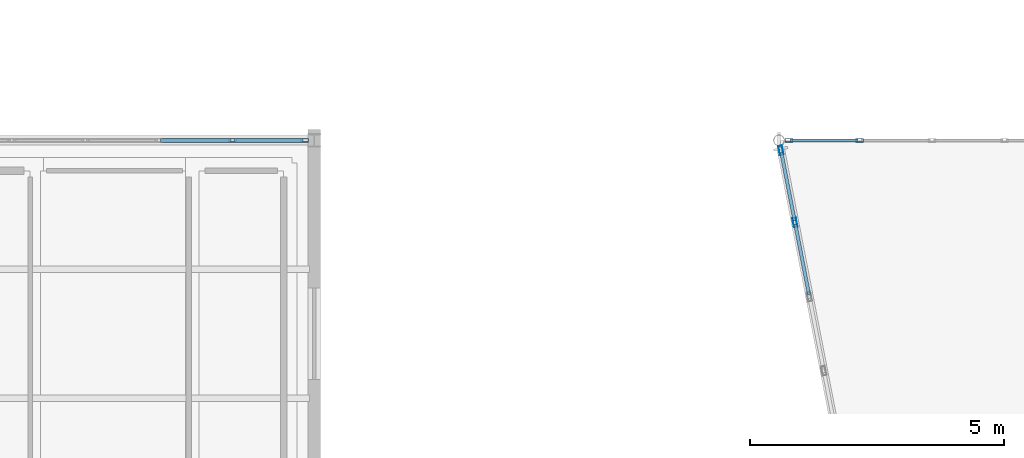
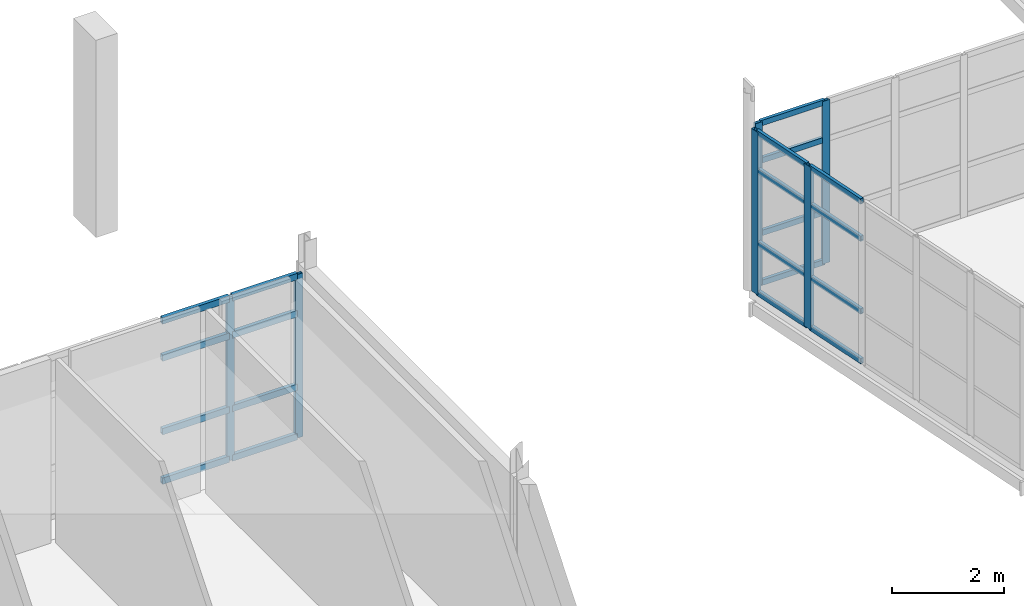
# One storey, part 101 of 166: 26 members, 3 elements without a shape of their own.
"""IFC4 building model written with IfcOpenShell, lengths in metres."""

from ifc_helpers import new_model, si_unit, direction, frame, origin, origin_2d, place, context, subcontext, project, spatial, hollow_rectangle, extrude, material, material_profile, profile_set, type_object, element, aggregate, save


model = new_model("IFC4")

# Units and contexts
model_context = context("Model", 3, precision=1e-05, world=origin(), true_north=direction((0.0, 1.0)))
body_context = subcontext(model_context, "Body", "Model", "MODEL_VIEW")
ifc_project = project(units=[si_unit("LENGTHUNIT", "METRE"), si_unit("AREAUNIT", "SQUARE_METRE"), si_unit("VOLUMEUNIT", "CUBIC_METRE"), si_unit("PLANEANGLEUNIT", "RADIAN"), si_unit("MASSUNIT", "GRAM", prefix="KILO")], contexts=[model_context])

# Site, building, storey
site_placement = place(None, origin())
site = spatial("IfcSite", under=ifc_project, at=site_placement, CompositionType="ELEMENT")
building_placement = place(site_placement, origin())
building = spatial("IfcBuilding", under=site, at=building_placement, Name="Caisbarro Railhouse Central Library", CompositionType="ELEMENT")
storey_placement = place(building_placement, frame((0.0, 0.0, 9.360107421875)))
storey = spatial("IfcBuildingStorey", under=building, at=storey_placement, Name="L02", CompositionType="ELEMENT", Elevation=9.360107421875)

# Curtain wall, members
ifc_material = material(Name="Anodised architectural aluminium", Category="aluminium")
curtain_wall_type_1 = type_object("IfcCurtainWallType", Name="CW-CW02", PredefinedType="NOTDEFINED", material=ifc_material)
curtain_wall_1_placement = place(storey_placement, origin())
curtain_wall_1 = element("IfcCurtainWall", 1, at=curtain_wall_1_placement, inside=storey, type_object=curtain_wall_type_1, Name="CW02 curtain wall L02 #130", PredefinedType="NOTDEFINED")
ifc_material_profile_1 = material_profile(ifc_material, hollow_rectangle(XDim=0.074951171875, YDim=0.179931640625, WallThickness=0.00439453125, at=origin_2d()), Name="ALU-MUL-75X180")
ifc_profile_set_1 = profile_set([ifc_material_profile_1], Name="Anodised architectural aluminium")
member_type_1 = type_object("IfcMemberType", Name="CWM-M01", PredefinedType="MULLION", material=ifc_profile_set_1)
member_1_placement = place(storey_placement, frame((108.449951171875, 104.78564453125, 0.0), z_axis=(0.0, 0.0, 1.0), x_axis=(-0.98160739523, -0.190910768765, 0.0)))
member_1 = element("IfcMember", 2, at=member_1_placement, type_object=member_type_1, Name="CW02 mullion 5", PredefinedType="MULLION", context=body_context, shape_type="SweptSolid", body=[
    extrude(hollow_rectangle(XDim=0.074951171875, YDim=0.179931640625, WallThickness=0.00439453125, at=origin_2d()), origin(), (0.0, 0.0, 1.0), 3.559814453125),
])
member_2_placement = place(storey_placement, frame((108.173583984375, 106.2060546875, 0.0), z_axis=(0.0, 0.0, 1.0), x_axis=(-0.98160739523, -0.190910768765, 0.0)))
member_2 = element("IfcMember", 3, at=member_2_placement, type_object=member_type_1, Name="CW02 mullion 6", PredefinedType="MULLION", context=body_context, shape_type="SweptSolid", body=[
    extrude(hollow_rectangle(XDim=0.074951171875, YDim=0.179931640625, WallThickness=0.00439453125, at=origin_2d()), origin(), (0.0, 0.0, 1.0), 3.559814453125),
])

curtain_wall_type_2 = type_object("IfcCurtainWallType", Name="CW-CW03", PredefinedType="NOTDEFINED", material=ifc_material)
curtain_wall_2_placement = place(storey_placement, origin())
curtain_wall_2 = element("IfcCurtainWall", 4, at=curtain_wall_2_placement, inside=storey, type_object=curtain_wall_type_2, Name="CW03 curtain wall L02 #131", PredefinedType="NOTDEFINED")
ifc_material_profile_2 = material_profile(ifc_material, hollow_rectangle(XDim=0.06494140625, YDim=0.14990234375, WallThickness=0.00390625, at=origin_2d()), Name="ALU-MUL-65X150")
ifc_profile_set_2 = profile_set([ifc_material_profile_2], Name="Anodised architectural aluminium")
member_type_2 = type_object("IfcMemberType", Name="CWM-M02", PredefinedType="MULLION", material=ifc_profile_set_2)
member_3_placement = place(storey_placement, frame((108.32861328125, 106.39990234375, 0.0), z_axis=(0.0, 0.0, 1.0), x_axis=(0.0, 1.0, 0.0)))
member_3 = element("IfcMember", 5, at=member_3_placement, type_object=member_type_2, Name="CW03 mullion 1", PredefinedType="MULLION", context=body_context, shape_type="SweptSolid", body=[
    extrude(hollow_rectangle(XDim=0.06494140625, YDim=0.14990234375, WallThickness=0.00390625, at=origin_2d()), origin(), (0.0, 0.0, 1.0), 3.559814453125),
])
member_4_placement = place(storey_placement, frame((109.719970703125, 106.39990234375, 0.0), z_axis=(0.0, 0.0, 1.0), x_axis=(0.0, 1.0, 0.0)))
member_4 = element("IfcMember", 6, at=member_4_placement, type_object=member_type_2, Name="CW03 mullion 2", PredefinedType="MULLION", context=body_context, shape_type="SweptSolid", body=[
    extrude(hollow_rectangle(XDim=0.06494140625, YDim=0.14990234375, WallThickness=0.00390625, at=origin_2d()), origin(), (0.0, 0.0, 1.0), 3.559814453125),
])

curtain_wall_3_placement = place(storey_placement, origin())
curtain_wall_3 = element("IfcCurtainWall", 7, at=curtain_wall_3_placement, inside=storey, type_object=curtain_wall_type_2, Name="CW03 curtain wall L02 #186", PredefinedType="NOTDEFINED")
member_5_placement = place(storey_placement, frame((97.393310546875, 106.39990234375, 0.0), z_axis=(0.0, 0.0, 1.0), x_axis=(0.0, 1.0, 0.0)))
member_5 = element("IfcMember", 8, at=member_5_placement, type_object=member_type_2, Name="CW03 mullion 6", PredefinedType="MULLION", context=body_context, shape_type="SweptSolid", body=[
    extrude(hollow_rectangle(XDim=0.06494140625, YDim=0.14990234375, WallThickness=0.00390625, at=origin_2d()), origin(), (0.0, 0.0, 1.0), 3.579833984375),
])
member_6_placement = place(storey_placement, frame((98.8076171875, 106.39990234375, 0.0), z_axis=(0.0, 0.0, 1.0), x_axis=(0.0, 1.0, 0.0)))
member_6 = element("IfcMember", 9, at=member_6_placement, type_object=member_type_2, Name="CW03 mullion 7", PredefinedType="MULLION", context=body_context, shape_type="SweptSolid", body=[
    extrude(hollow_rectangle(XDim=0.06494140625, YDim=0.14990234375, WallThickness=0.00390625, at=origin_2d()), origin(), (0.0, 0.0, 1.0), 3.579833984375),
])
ifc_material_profile_3 = material_profile(ifc_material, hollow_rectangle(XDim=0.074951171875, YDim=0.139892578125, WallThickness=0.00390625, at=origin_2d()), Name="ALU-TRN-75X140")
ifc_profile_set_3 = profile_set([ifc_material_profile_3], Name="Anodised architectural aluminium")
member_type_3 = type_object("IfcMemberType", Name="CWT-T01", PredefinedType="USERDEFINED", material=ifc_profile_set_3)
member_7_placement = place(storey_placement, frame((95.979248046875, 106.39990234375, 0.037353515625), z_axis=(1.0, 0.0, 0.0), x_axis=(0.0, 1.0, 0.0)))
member_7 = element("IfcMember", 10, at=member_7_placement, type_object=member_type_3, Name="CW03 transom 5.1", ObjectType="TRANSOM", PredefinedType="USERDEFINED", context=body_context, shape_type="SweptSolid", body=[
    extrude(hollow_rectangle(XDim=0.074951171875, YDim=0.139892578125, WallThickness=0.00390625, at=origin_2d()), origin(), (0.0, 0.0, 1.0), 1.381591796875),
])
member_8_placement = place(storey_placement, frame((95.979248046875, 106.39990234375, 1.119873046875), z_axis=(1.0, 0.0, 0.0), x_axis=(0.0, 1.0, 0.0)))
member_8 = element("IfcMember", 11, at=member_8_placement, type_object=member_type_3, Name="CW03 transom 5.2", ObjectType="TRANSOM", PredefinedType="USERDEFINED", context=body_context, shape_type="SweptSolid", body=[
    extrude(hollow_rectangle(XDim=0.074951171875, YDim=0.139892578125, WallThickness=0.00390625, at=origin_2d()), origin(), (0.0, 0.0, 1.0), 1.381591796875),
])
member_9_placement = place(storey_placement, frame((95.979248046875, 106.39990234375, 2.72998046875), z_axis=(1.0, 0.0, 0.0), x_axis=(0.0, 1.0, 0.0)))
member_9 = element("IfcMember", 12, at=member_9_placement, type_object=member_type_3, Name="CW03 transom 5.3", ObjectType="TRANSOM", PredefinedType="USERDEFINED", context=body_context, shape_type="SweptSolid", body=[
    extrude(hollow_rectangle(XDim=0.074951171875, YDim=0.139892578125, WallThickness=0.00390625, at=origin_2d()), origin(), (0.0, 0.0, 1.0), 1.381591796875),
])
member_10_placement = place(storey_placement, frame((95.979248046875, 106.39990234375, 3.54248046875), z_axis=(1.0, 0.0, 0.0), x_axis=(0.0, 1.0, 0.0)))
member_10 = element("IfcMember", 13, at=member_10_placement, type_object=member_type_3, Name="CW03 transom 5.4", ObjectType="TRANSOM", PredefinedType="USERDEFINED", context=body_context, shape_type="SweptSolid", body=[
    extrude(hollow_rectangle(XDim=0.074951171875, YDim=0.139892578125, WallThickness=0.00390625, at=origin_2d()), origin(), (0.0, 0.0, 1.0), 1.381591796875),
])
member_11_placement = place(storey_placement, frame((97.42578125, 106.39990234375, 0.037353515625), z_axis=(1.0, 0.0, 0.0), x_axis=(0.0, 1.0, 0.0)))
member_11 = element("IfcMember", 14, at=member_11_placement, type_object=member_type_3, Name="CW03 transom 6.1", ObjectType="TRANSOM", PredefinedType="USERDEFINED", context=body_context, shape_type="SweptSolid", body=[
    extrude(hollow_rectangle(XDim=0.074951171875, YDim=0.139892578125, WallThickness=0.00390625, at=origin_2d()), origin(), (0.0, 0.0, 1.0), 1.34912109375),
])
member_12_placement = place(storey_placement, frame((97.42578125, 106.39990234375, 1.119873046875), z_axis=(1.0, 0.0, 0.0), x_axis=(0.0, 1.0, 0.0)))
member_12 = element("IfcMember", 15, at=member_12_placement, type_object=member_type_3, Name="CW03 transom 6.2", ObjectType="TRANSOM", PredefinedType="USERDEFINED", context=body_context, shape_type="SweptSolid", body=[
    extrude(hollow_rectangle(XDim=0.074951171875, YDim=0.139892578125, WallThickness=0.00390625, at=origin_2d()), origin(), (0.0, 0.0, 1.0), 1.34912109375),
])
member_13_placement = place(storey_placement, frame((97.42578125, 106.39990234375, 2.72998046875), z_axis=(1.0, 0.0, 0.0), x_axis=(0.0, 1.0, 0.0)))
member_13 = element("IfcMember", 16, at=member_13_placement, type_object=member_type_3, Name="CW03 transom 6.3", ObjectType="TRANSOM", PredefinedType="USERDEFINED", context=body_context, shape_type="SweptSolid", body=[
    extrude(hollow_rectangle(XDim=0.074951171875, YDim=0.139892578125, WallThickness=0.00390625, at=origin_2d()), origin(), (0.0, 0.0, 1.0), 1.34912109375),
])
member_14_placement = place(storey_placement, frame((97.42578125, 106.39990234375, 3.54248046875), z_axis=(1.0, 0.0, 0.0), x_axis=(0.0, 1.0, 0.0)))
member_14 = element("IfcMember", 17, at=member_14_placement, type_object=member_type_3, Name="CW03 transom 6.4", ObjectType="TRANSOM", PredefinedType="USERDEFINED", context=body_context, shape_type="SweptSolid", body=[
    extrude(hollow_rectangle(XDim=0.074951171875, YDim=0.139892578125, WallThickness=0.00390625, at=origin_2d()), origin(), (0.0, 0.0, 1.0), 1.34912109375),
])
aggregate(curtain_wall_3, [member_5, member_6, member_7, member_8, member_9, member_10, member_11, member_12, member_13, member_14])

# Member
ifc_material_profile_4 = material_profile(ifc_material, hollow_rectangle(XDim=0.06494140625, YDim=0.1201171875, WallThickness=0.00341796875, at=origin_2d()), Name="ALU-TRN-65X120")
ifc_profile_set_4 = profile_set([ifc_material_profile_4], Name="Anodised architectural aluminium")
member_type_4 = type_object("IfcMemberType", Name="CWT-T02", PredefinedType="USERDEFINED", material=ifc_profile_set_4)
member_15_placement = place(storey_placement, frame((108.72607421875, 103.365478515625, 0.032470703125), z_axis=(-0.190883567843, 0.981612685089, 0.0), x_axis=(-0.981612685089, -0.190883567843, 0.0)))
member_15 = element("IfcMember", 18, at=member_15_placement, type_object=member_type_4, Name="CW02 transom 4.1", ObjectType="TRANSOM", PredefinedType="USERDEFINED", context=body_context, shape_type="SweptSolid", body=[
    extrude(hollow_rectangle(XDim=0.06494140625, YDim=0.1201171875, WallThickness=0.00341796875, at=origin_2d()), origin(), (0.0, 0.0, 1.0), 1.409423828125),
])

member_16_placement = place(storey_placement, frame((108.72607421875, 103.365478515625, 1.119873046875), z_axis=(-0.190883567843, 0.981612685089, 0.0), x_axis=(-0.981612685089, -0.190883567843, 0.0)))
member_16 = element("IfcMember", 19, at=member_16_placement, type_object=member_type_4, Name="CW02 transom 4.2", ObjectType="TRANSOM", PredefinedType="USERDEFINED", context=body_context, shape_type="SweptSolid", body=[
    extrude(hollow_rectangle(XDim=0.06494140625, YDim=0.1201171875, WallThickness=0.00341796875, at=origin_2d()), origin(), (0.0, 0.0, 1.0), 1.409423828125),
])

member_17_placement = place(storey_placement, frame((108.72607421875, 103.365478515625, 2.7099609375), z_axis=(-0.190883567843, 0.981612685089, 0.0), x_axis=(-0.981612685089, -0.190883567843, 0.0)))
member_17 = element("IfcMember", 20, at=member_17_placement, type_object=member_type_4, Name="CW02 transom 4.3", ObjectType="TRANSOM", PredefinedType="USERDEFINED", context=body_context, shape_type="SweptSolid", body=[
    extrude(hollow_rectangle(XDim=0.06494140625, YDim=0.1201171875, WallThickness=0.00341796875, at=origin_2d()), origin(), (0.0, 0.0, 1.0), 1.409423828125),
])

member_18_placement = place(storey_placement, frame((108.72607421875, 103.365478515625, 3.52734375), z_axis=(-0.190883567843, 0.981612685089, 0.0), x_axis=(-0.981612685089, -0.190883567843, 0.0)))
member_18 = element("IfcMember", 21, at=member_18_placement, type_object=member_type_4, Name="CW02 transom 4.4", ObjectType="TRANSOM", PredefinedType="USERDEFINED", context=body_context, shape_type="SweptSolid", body=[
    extrude(hollow_rectangle(XDim=0.06494140625, YDim=0.1201171875, WallThickness=0.00341796875, at=origin_2d()), origin(), (0.0, 0.0, 1.0), 1.409423828125),
])

member_19_placement = place(storey_placement, frame((108.442626953125, 104.822509765625, 0.032470703125), z_axis=(-0.190774392735, 0.981633908887, 0.0), x_axis=(-0.981633908887, -0.190774392735, 0.0)))
member_19 = element("IfcMember", 22, at=member_19_placement, type_object=member_type_4, Name="CW02 transom 5.1", ObjectType="TRANSOM", PredefinedType="USERDEFINED", context=body_context, shape_type="SweptSolid", body=[
    extrude(hollow_rectangle(XDim=0.06494140625, YDim=0.1201171875, WallThickness=0.00341796875, at=origin_2d()), origin(), (0.0, 0.0, 1.0), 1.371826171875),
])

member_20_placement = place(storey_placement, frame((108.442626953125, 104.822509765625, 1.119873046875), z_axis=(-0.190774392735, 0.981633908887, 0.0), x_axis=(-0.981633908887, -0.190774392735, 0.0)))
member_20 = element("IfcMember", 23, at=member_20_placement, type_object=member_type_4, Name="CW02 transom 5.2", ObjectType="TRANSOM", PredefinedType="USERDEFINED", context=body_context, shape_type="SweptSolid", body=[
    extrude(hollow_rectangle(XDim=0.06494140625, YDim=0.1201171875, WallThickness=0.00341796875, at=origin_2d()), origin(), (0.0, 0.0, 1.0), 1.371826171875),
])

member_21_placement = place(storey_placement, frame((108.442626953125, 104.822509765625, 2.7099609375), z_axis=(-0.190774392735, 0.981633908887, 0.0), x_axis=(-0.981633908887, -0.190774392735, 0.0)))
member_21 = element("IfcMember", 24, at=member_21_placement, type_object=member_type_4, Name="CW02 transom 5.3", ObjectType="TRANSOM", PredefinedType="USERDEFINED", context=body_context, shape_type="SweptSolid", body=[
    extrude(hollow_rectangle(XDim=0.06494140625, YDim=0.1201171875, WallThickness=0.00341796875, at=origin_2d()), origin(), (0.0, 0.0, 1.0), 1.371826171875),
])

member_22_placement = place(storey_placement, frame((108.442626953125, 104.822509765625, 3.52734375), z_axis=(-0.190774392735, 0.981633908887, 0.0), x_axis=(-0.981633908887, -0.190774392735, 0.0)))
member_22 = element("IfcMember", 25, at=member_22_placement, type_object=member_type_4, Name="CW02 transom 5.4", ObjectType="TRANSOM", PredefinedType="USERDEFINED", context=body_context, shape_type="SweptSolid", body=[
    extrude(hollow_rectangle(XDim=0.06494140625, YDim=0.1201171875, WallThickness=0.00341796875, at=origin_2d()), origin(), (0.0, 0.0, 1.0), 1.371826171875),
])

aggregate(curtain_wall_1, [member_1, member_2, member_15, member_16, member_17, member_18, member_19, member_20, member_21, member_22])

member_23_placement = place(storey_placement, frame((108.361083984375, 106.39990234375, 0.032470703125), z_axis=(1.0, 0.0, 0.0), x_axis=(0.0, 1.0, 0.0)))
member_23 = element("IfcMember", 26, at=member_23_placement, type_object=member_type_4, Name="CW03 transom 1.1", ObjectType="TRANSOM", PredefinedType="USERDEFINED", context=body_context, shape_type="SweptSolid", body=[
    extrude(hollow_rectangle(XDim=0.06494140625, YDim=0.1201171875, WallThickness=0.00341796875, at=origin_2d()), origin(), (0.0, 0.0, 1.0), 1.326416015625),
])

member_24_placement = place(storey_placement, frame((108.361083984375, 106.39990234375, 1.119873046875), z_axis=(1.0, 0.0, 0.0), x_axis=(0.0, 1.0, 0.0)))
member_24 = element("IfcMember", 27, at=member_24_placement, type_object=member_type_4, Name="CW03 transom 1.2", ObjectType="TRANSOM", PredefinedType="USERDEFINED", context=body_context, shape_type="SweptSolid", body=[
    extrude(hollow_rectangle(XDim=0.06494140625, YDim=0.1201171875, WallThickness=0.00341796875, at=origin_2d()), origin(), (0.0, 0.0, 1.0), 1.326416015625),
])

member_25_placement = place(storey_placement, frame((108.361083984375, 106.39990234375, 2.7099609375), z_axis=(1.0, 0.0, 0.0), x_axis=(0.0, 1.0, 0.0)))
member_25 = element("IfcMember", 28, at=member_25_placement, type_object=member_type_4, Name="CW03 transom 1.3", ObjectType="TRANSOM", PredefinedType="USERDEFINED", context=body_context, shape_type="SweptSolid", body=[
    extrude(hollow_rectangle(XDim=0.06494140625, YDim=0.1201171875, WallThickness=0.00341796875, at=origin_2d()), origin(), (0.0, 0.0, 1.0), 1.326416015625),
])

member_26_placement = place(storey_placement, frame((108.361083984375, 106.39990234375, 3.52734375), z_axis=(1.0, 0.0, 0.0), x_axis=(0.0, 1.0, 0.0)))
member_26 = element("IfcMember", 29, at=member_26_placement, type_object=member_type_4, Name="CW03 transom 1.4", ObjectType="TRANSOM", PredefinedType="USERDEFINED", context=body_context, shape_type="SweptSolid", body=[
    extrude(hollow_rectangle(XDim=0.06494140625, YDim=0.1201171875, WallThickness=0.00341796875, at=origin_2d()), origin(), (0.0, 0.0, 1.0), 1.326416015625),
])

aggregate(curtain_wall_2, [member_3, member_4, member_23, member_24, member_25, member_26])

save(model, "model.ifc")
